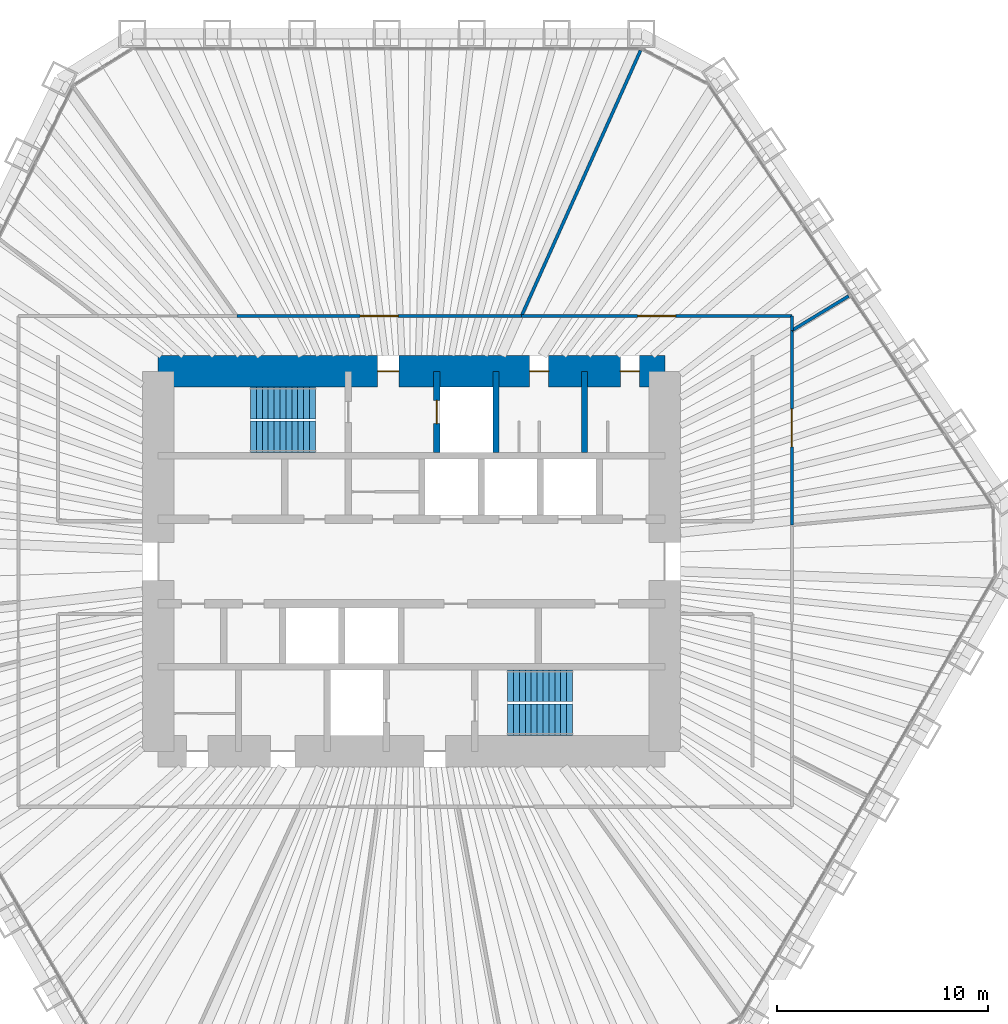
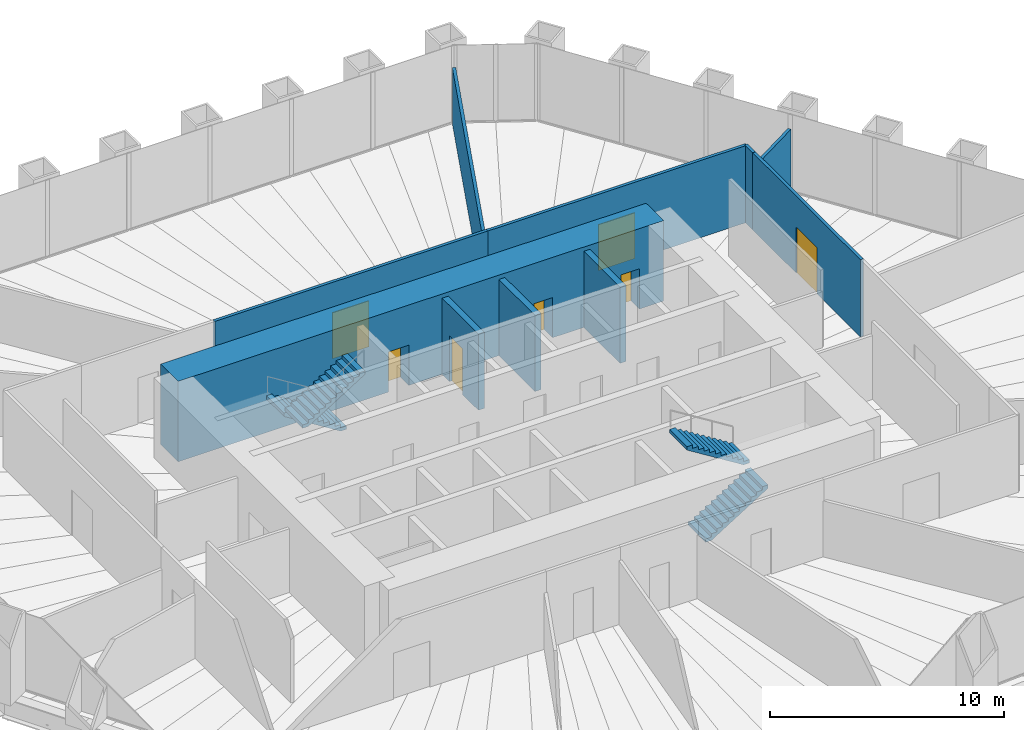
# One storey, part 12 of 13: 10 walls, 7 doors, 4 stair flights, 7 openings, 2 elements without a shape of their own.
"""IFC4 building model written with IfcOpenShell, lengths in metres."""

from ifc_helpers import new_model, si_unit, direction, frame, frame_2d, origin, place, context, subcontext, project, spatial, polyline, rectangle, outline, extrude, material, layer, layer_set, type_object, element, fill, aggregate, save


model = new_model("IFC4")

# Units and contexts
model_context = context("Model", 3, precision=1e-05, world=origin(), true_north=direction((0.0, 1.0)))
body_context = subcontext(model_context, "Body", "Model", "MODEL_VIEW")
ifc_project = project(units=[si_unit("LENGTHUNIT", "METRE"), si_unit("AREAUNIT", "SQUARE_METRE"), si_unit("VOLUMEUNIT", "CUBIC_METRE"), si_unit("PLANEANGLEUNIT", "RADIAN"), si_unit("MASSUNIT", "GRAM", prefix="KILO")], contexts=[model_context])

# Site, building, storey
site_placement = place(None, origin())
site = spatial("IfcSite", under=ifc_project, at=site_placement, CompositionType="ELEMENT")
building_placement = place(site_placement, origin())
building = spatial("IfcBuilding", under=site, at=building_placement, Name="Qingtian Harvest Tower", CompositionType="ELEMENT")
storey_placement = place(building_placement, frame((0.0, 0.0, 115.60009765625)))
storey = spatial("IfcBuildingStorey", under=building, at=storey_placement, Name="L23", CompositionType="ELEMENT", Elevation=115.60009765625)

# Wall, opening, door
ifc_material_1 = material(Name="Precast concrete shaft panel", Category="concrete")
ifc_layer_1 = layer(ifc_material_1, 0.300048828125)
ifc_layer_set_1 = layer_set([ifc_layer_1], Name="Core shaft partition SW1 300")
wall_type_1 = type_object("IfcWallType", Name="Core shaft partition SW1 300", PredefinedType="PARTITIONING", material=ifc_layer_set_1)
wall_1_placement = place(storey_placement, frame((1.199951171875, 5.14990234375, 0.0), z_axis=(0.0, 0.0, 1.0), x_axis=(0.0, 1.0, 0.0)))
wall_1 = element("IfcWall", 1, at=wall_1_placement, inside=storey, type_object=wall_type_1, Name="Core shaft partition XN2 L23", PredefinedType="PARTITIONING", context=body_context, shape_type="SweptSolid", body=[
    extrude(rectangle(XDim=3.85009765625, YDim=0.300048828125, at=frame_2d((1.925048828125, 0.0))), origin(), (0.0, 0.0, 1.0), 3.97998046875),
])
opening_1_placement = place(wall_1_placement, frame((1.375, 0.0, 0.0)))
opening_1 = element("IfcOpeningElement", 2, at=opening_1_placement, cuts=wall_1, Name="Opening LD1", PredefinedType="OPENING", context=body_context, shape_type="SweptSolid", body=[
    extrude(rectangle(XDim=1.10009765625, YDim=2.39990234375, at=frame_2d((0.550048828125, 1.199951171875))), frame((0.0, 0.159912109375, 0.0), z_axis=(0.0, -1.0, 0.0), x_axis=(1.0, 0.0, 0.0)), (0.0, 0.0, 1.0), 0.320068359375),
])
ifc_material_2 = material(Name="Stainless steel lift landing door", Category="steel")
door_type_1 = type_object("IfcDoorType", Name="Lift landing door LD1 1 HR", OperationType="DOUBLE_DOOR_SLIDING", PredefinedType="DOOR", material=ifc_material_2)
door_1_placement = place(opening_1_placement, origin())
door_1 = element("IfcDoor", 3, at=door_1_placement, inside=storey, type_object=door_type_1, Name="FL1 landing door L23", OperationType="DOUBLE_DOOR_SLIDING", OverallHeight=2.39990234375, OverallWidth=1.10009765625, PredefinedType="DOOR", context=body_context, shape_type="SweptSolid", body=[
    extrude(rectangle(XDim=1.10009765625, YDim=2.39990234375, at=frame_2d((0.550048828125, 1.199951171875))), frame((0.0, 0.02490234375, 0.0), z_axis=(0.0, -1.0, 0.0), x_axis=(1.0, 0.0, 0.0)), (0.0, 0.0, 1.0), 0.050048828125),
])
fill(opening_1, door_1)

# Walls
for number, where, z_axis, x_axis, name in (
    (4, (4.0, 5.14990234375, 0.0), (0.0, 0.0, 1.0), (0.0, 1.0, 0.0), "Core shaft partition XN3 L23"),
    (5, (8.199951171875, 5.14990234375, 0.0), (0.0, 0.0, 1.0), (0.0, 1.0, 0.0), "Core shaft partition XN4 L23"),
):
    element("IfcWall", number, at=place(storey_placement, frame(where, z_axis=z_axis, x_axis=x_axis)), inside=storey, type_object=wall_type_1, Name=name, PredefinedType="PARTITIONING", context=body_context, shape_type="SweptSolid", body=[
        extrude(rectangle(XDim=3.85009765625, YDim=0.300048828125, at=frame_2d((1.925048828125, 0.0))), origin(), (0.0, 0.0, 1.0), 3.97998046875),
    ])

# Wall, openings, doors
ifc_material_3 = material(Name="Concrete fc' 70 MPa", Category="concrete")
ifc_layer_2 = layer(ifc_material_3, 1.5)
ifc_layer_set_2 = layer_set([ifc_layer_2], Name="Core wall RC1 1500")
wall_type_2 = type_object("IfcWallType", Name="Core wall RC1 1500", PredefinedType="SHEAR", material=ifc_layer_set_2)
wall_2_placement = place(storey_placement, frame((-12.0, 9.0, 0.0), z_axis=(0.0, 0.0, 1.0), x_axis=(1.0, 0.0, 0.0)))
wall_2 = element("IfcWall", 6, at=wall_2_placement, inside=storey, type_object=wall_type_2, Name="Core wall CN L23", PredefinedType="SHEAR", context=body_context, shape_type="SweptSolid", body=[
    extrude(rectangle(XDim=24.0, YDim=1.5, at=frame_2d((12.0, 0.0))), origin(), (0.0, 0.0, 1.0), 4.199951171875),
])
opening_2_placement = place(wall_2_placement, frame((10.39990234375, 0.0, 0.0)))
opening_2 = element("IfcOpeningElement", 7, at=opening_2_placement, cuts=wall_2, Name="Opening FD1", PredefinedType="OPENING", context=body_context, shape_type="SweptSolid", body=[
    extrude(rectangle(XDim=1.0, YDim=2.10009765625, at=frame_2d((0.5, 1.050048828125))), frame((0.0, 0.760009765625, 0.0), z_axis=(0.0, -1.0, 0.0), x_axis=(1.0, 0.0, 0.0)), (0.0, 0.0, 1.0), 1.52001953125),
])
opening_3_placement = place(wall_2_placement, frame((17.60009765625, 0.0, 0.0)))
opening_3 = element("IfcOpeningElement", 8, at=opening_3_placement, cuts=wall_2, Name="Opening D1", PredefinedType="OPENING", context=body_context, shape_type="SweptSolid", body=[
    extrude(rectangle(XDim=0.89990234375, YDim=2.10009765625, at=frame_2d((0.449951171875, 1.050048828125))), frame((0.0, 0.760009765625, 0.0), z_axis=(0.0, -1.0, 0.0), x_axis=(1.0, 0.0, 0.0)), (0.0, 0.0, 1.0), 1.52001953125),
])
opening_4_placement = place(wall_2_placement, frame((21.89990234375, 0.0, 0.0)))
opening_4 = element("IfcOpeningElement", 9, at=opening_4_placement, cuts=wall_2, Name="Opening D1", PredefinedType="OPENING", context=body_context, shape_type="SweptSolid", body=[
    extrude(rectangle(XDim=0.89990234375, YDim=2.10009765625, at=frame_2d((0.449951171875, 1.050048828125))), frame((0.0, 0.760009765625, 0.0), z_axis=(0.0, -1.0, 0.0), x_axis=(1.0, 0.0, 0.0)), (0.0, 0.0, 1.0), 1.52001953125),
])
ifc_material_4 = material(Name="Steel-faced door leaf", Category="steel")
door_type_2 = type_object("IfcDoorType", Name="Fire door FD1 single 1 HR", OperationType="SINGLE_SWING_LEFT", PredefinedType="DOOR", material=ifc_material_4)
door_2_placement = place(opening_2_placement, origin())
door_2 = element("IfcDoor", 10, at=door_2_placement, inside=storey, type_object=door_type_2, Name="V1 door L23", OperationType="SINGLE_SWING_RIGHT", OverallHeight=2.10009765625, OverallWidth=1.0, PredefinedType="DOOR", context=body_context, shape_type="SweptSolid", body=[
    extrude(rectangle(XDim=1.0, YDim=2.10009765625, at=frame_2d((0.5, 1.050048828125))), frame((0.0, 0.02490234375, 0.0), z_axis=(0.0, -1.0, 0.0), x_axis=(1.0, 0.0, 0.0)), (0.0, 0.0, 1.0), 0.050048828125),
])
fill(opening_2, door_2)
ifc_material_5 = material(Name="Laminated timber door leaf", Category="wood")
door_type_3 = type_object("IfcDoorType", Name="Toilet door D1 single", OperationType="SINGLE_SWING_LEFT", PredefinedType="DOOR", material=ifc_material_5)
door_3_placement = place(opening_3_placement, origin())
door_3 = element("IfcDoor", 11, at=door_3_placement, inside=storey, type_object=door_type_3, Name="WCM door L23", OperationType="SINGLE_SWING_LEFT", OverallHeight=2.10009765625, OverallWidth=0.89990234375, PredefinedType="DOOR", context=body_context, shape_type="SweptSolid", body=[
    extrude(rectangle(XDim=0.89990234375, YDim=2.10009765625, at=frame_2d((0.449951171875, 1.050048828125))), frame((0.0, 0.02490234375, 0.0), z_axis=(0.0, -1.0, 0.0), x_axis=(1.0, 0.0, 0.0)), (0.0, 0.0, 1.0), 0.050048828125),
])
fill(opening_3, door_3)
door_4_placement = place(opening_4_placement, origin())
door_4 = element("IfcDoor", 12, at=door_4_placement, inside=storey, type_object=door_type_3, Name="WCF door L23", OperationType="SINGLE_SWING_LEFT", OverallHeight=2.10009765625, OverallWidth=0.89990234375, PredefinedType="DOOR", context=body_context, shape_type="SweptSolid", body=[
    extrude(rectangle(XDim=0.89990234375, YDim=2.10009765625, at=frame_2d((0.449951171875, 1.050048828125))), frame((0.0, 0.02490234375, 0.0), z_axis=(0.0, -1.0, 0.0), x_axis=(1.0, 0.0, 0.0)), (0.0, 0.0, 1.0), 0.050048828125),
])
fill(opening_4, door_4)

# Wall, opening, door
ifc_material_6 = material(Name="Gypsum board on steel studs", Category="steel")
ifc_layer_3 = layer(ifc_material_6, 0.14990234375)
ifc_layer_set_3 = layer_set([ifc_layer_3], Name="Partition PT1 150")
wall_type_3 = type_object("IfcWallType", Name="Partition PT1 150", PredefinedType="PARTITIONING", material=ifc_layer_set_3)
wall_3_placement = place(storey_placement, frame((-8.276611328125, 11.625, 0.0), z_axis=(0.0, 0.0, 1.0), x_axis=(1.0, 0.0, 0.0)))
wall_3 = element("IfcWall", 13, at=wall_3_placement, inside=storey, type_object=wall_type_3, Name="Office suite wall L23", PredefinedType="PARTITIONING", context=body_context, shape_type="SweptSolid", body=[
    extrude(rectangle(XDim=13.487548828125, YDim=0.14990234375, at=frame_2d((6.74365234375, 0.0))), origin(), (0.0, 0.0, 1.0), 4.02978515625),
])
opening_5_placement = place(wall_3_placement, frame((5.84375, 0.0, 0.0)))
opening_5 = element("IfcOpeningElement", 14, at=opening_5_placement, cuts=wall_3, Name="Opening D3", PredefinedType="OPENING", context=body_context, shape_type="SweptSolid", body=[
    extrude(rectangle(XDim=1.800048828125, YDim=2.39990234375, at=frame_2d((0.89990234375, 1.199951171875))), frame((0.0, 0.0849609375, 0.0), z_axis=(0.0, -1.0, 0.0), x_axis=(1.0, 0.0, 0.0)), (0.0, 0.0, 1.0), 0.169921875),
])
ifc_material_7 = material(Name="Laminated timber door leaf", Category="wood")
door_type_4 = type_object("IfcDoorType", Name="Room door D3 double", OperationType="DOUBLE_DOOR_DOUBLE_SWING", PredefinedType="DOOR", material=ifc_material_7)
door_5_placement = place(opening_5_placement, origin())
door_5 = element("IfcDoor", 15, at=door_5_placement, inside=storey, type_object=door_type_4, Name="Office suite door L23", OperationType="DOUBLE_DOOR_DOUBLE_SWING", OverallHeight=2.39990234375, OverallWidth=1.800048828125, PredefinedType="DOOR", context=body_context, shape_type="SweptSolid", body=[
    extrude(rectangle(XDim=1.800048828125, YDim=2.39990234375, at=frame_2d((0.89990234375, 1.199951171875))), frame((0.0, 0.02490234375, 0.0), z_axis=(0.0, -1.0, 0.0), x_axis=(1.0, 0.0, 0.0)), (0.0, 0.0, 1.0), 0.050048828125),
])
fill(opening_5, door_5)

# Wall
wall_4_placement = place(storey_placement, frame((10.851806640625, 24.208740234375, 0.0), z_axis=(0.0, 0.0, 1.0), x_axis=(-0.40904878746, -0.912512514696, 0.0)))
element("IfcWall", 16, at=wall_4_placement, inside=storey, type_object=wall_type_3, Name="Test kitchen wall L23", PredefinedType="PARTITIONING", context=body_context, shape_type="SweptSolid", body=[
    extrude(rectangle(XDim=13.790283203125, YDim=0.14990234375, at=frame_2d((6.89501953125, 0.0))), origin(), (0.0, 0.0, 1.0), 2.929931640625),
])

# Wall, opening, door
wall_5_placement = place(storey_placement, frame((5.2109375, 11.625, 0.0), z_axis=(0.0, 0.0, 1.0), x_axis=(1.0, 0.0, 0.0)))
wall_5 = element("IfcWall", 17, at=wall_5_placement, inside=storey, type_object=wall_type_3, Name="Test kitchen wall L23", PredefinedType="PARTITIONING", context=body_context, shape_type="SweptSolid", body=[
    extrude(rectangle(XDim=12.81396484375, YDim=0.14990234375, at=frame_2d((6.406982421875, 0.0))), origin(), (0.0, 0.0, 1.0), 4.02978515625),
])
opening_6_placement = place(wall_5_placement, frame((5.507080078125, 0.0, 0.0)))
opening_6 = element("IfcOpeningElement", 18, at=opening_6_placement, cuts=wall_5, Name="Opening D3", PredefinedType="OPENING", context=body_context, shape_type="SweptSolid", body=[
    extrude(rectangle(XDim=1.800048828125, YDim=2.39990234375, at=frame_2d((0.89990234375, 1.199951171875))), frame((0.0, 0.0849609375, 0.0), z_axis=(0.0, -1.0, 0.0), x_axis=(1.0, 0.0, 0.0)), (0.0, 0.0, 1.0), 0.169921875),
])
door_6_placement = place(opening_6_placement, origin())
door_6 = element("IfcDoor", 19, at=door_6_placement, inside=storey, type_object=door_type_4, Name="Test kitchen door L23", OperationType="DOUBLE_DOOR_DOUBLE_SWING", OverallHeight=2.39990234375, OverallWidth=1.800048828125, PredefinedType="DOOR", context=body_context, shape_type="SweptSolid", body=[
    extrude(rectangle(XDim=1.800048828125, YDim=2.39990234375, at=frame_2d((0.89990234375, 1.199951171875))), frame((0.0, 0.02490234375, 0.0), z_axis=(0.0, -1.0, 0.0), x_axis=(1.0, 0.0, 0.0)), (0.0, 0.0, 1.0), 0.050048828125),
])
fill(opening_6, door_6)

# Walls
wall_6_placement = place(storey_placement, frame((18.02490234375, 11.625, 0.0), z_axis=(0.0, 0.0, 1.0), x_axis=(0.0, -1.0, 0.0)))
element("IfcWall", 20, at=wall_6_placement, inside=storey, type_object=wall_type_3, Name="Test kitchen wall L23", PredefinedType="PARTITIONING", context=body_context, shape_type="SweptSolid", body=[
    extrude(rectangle(XDim=0.684326171875, YDim=0.14990234375, at=frame_2d((0.34228515625, 0.0))), origin(), (0.0, 0.0, 1.0), 4.02978515625),
])
wall_7_placement = place(storey_placement, frame((20.71142578125, 12.571044921875, 0.0), z_axis=(0.0, 0.0, 1.0), x_axis=(-0.854890890653, -0.518807830587, 0.0)))
element("IfcWall", 21, at=wall_7_placement, inside=storey, type_object=wall_type_3, Name="Meeting room wall L23", PredefinedType="PARTITIONING", context=body_context, shape_type="SweptSolid", body=[
    extrude(rectangle(XDim=3.142578125, YDim=0.14990234375, at=frame_2d((1.5712890625, 0.0))), origin(), (0.0, 0.0, 1.0), 3.329833984375),
])

# Wall, opening, door
wall_8_placement = place(storey_placement, frame((18.02490234375, 10.940673828125, 0.0), z_axis=(0.0, 0.0, 1.0), x_axis=(0.0, -1.0, 0.0)))
wall_8 = element("IfcWall", 22, at=wall_8_placement, inside=storey, type_object=wall_type_3, Name="Meeting room wall L23", PredefinedType="PARTITIONING", context=body_context, shape_type="SweptSolid", body=[
    extrude(rectangle(XDim=9.22119140625, YDim=0.14990234375, at=frame_2d((4.610595703125, 0.0))), origin(), (0.0, 0.0, 1.0), 4.02978515625),
])
opening_7_placement = place(wall_8_placement, frame((3.71044921875, 0.0, 0.0)))
opening_7 = element("IfcOpeningElement", 23, at=opening_7_placement, cuts=wall_8, Name="Opening D3", PredefinedType="OPENING", context=body_context, shape_type="SweptSolid", body=[
    extrude(rectangle(XDim=1.800048828125, YDim=2.39990234375, at=frame_2d((0.89990234375, 1.199951171875))), frame((0.0, 0.0849609375, 0.0), z_axis=(0.0, -1.0, 0.0), x_axis=(1.0, 0.0, 0.0)), (0.0, 0.0, 1.0), 0.169921875),
])
door_7_placement = place(opening_7_placement, origin())
door_7 = element("IfcDoor", 24, at=door_7_placement, inside=storey, type_object=door_type_4, Name="Meeting room door L23", OperationType="DOUBLE_DOOR_DOUBLE_SWING", OverallHeight=2.39990234375, OverallWidth=1.800048828125, PredefinedType="DOOR", context=body_context, shape_type="SweptSolid", body=[
    extrude(rectangle(XDim=1.800048828125, YDim=2.39990234375, at=frame_2d((0.89990234375, 1.199951171875))), frame((0.0, 0.02490234375, 0.0), z_axis=(0.0, -1.0, 0.0), x_axis=(1.0, 0.0, 0.0)), (0.0, 0.0, 1.0), 0.050048828125),
])
fill(opening_7, door_7)

# Stair, stair flights
ifc_material_8 = material(Name="Concrete fc' 35 MPa", Category="concrete")
stair_type = type_object("IfcStairType", Name="Special stair ST3 4200", PredefinedType="HALF_TURN_STAIR", material=ifc_material_8)
stair_1_placement = place(storey_placement, origin())
stair_1 = element("IfcStair", 25, at=stair_1_placement, inside=storey, type_object=stair_type, Name="Special stair S1 L23", PredefinedType="HALF_TURN_STAIR")
ifc_material_9 = material(Name="Concrete fc' 35 MPa", Category="concrete")
stair_flight_type = type_object("IfcStairFlightType", Name="Stair flight SF3 4200", PredefinedType="STRAIGHT", material=ifc_material_9)
stair_flight_1_placement = place(storey_placement, frame((-4.550048828125, 7.5, 0.0), z_axis=(0.0, 0.0, 1.0), x_axis=(-1.0, 0.0, 0.0)))
stair_flight_1 = element("IfcStairFlight", 26, at=stair_flight_1_placement, type_object=stair_flight_type, Name="S1 flight 1", NumberOfRisers=12, NumberOfTreads=11, PredefinedType="STRAIGHT", RiserHeight=0.175, TreadLength=0.28, context=body_context, shape_type="SweptSolid", body=[
    extrude(outline(polyline([(0.0, 0.0), (0.0, 0.175048828125), (0.280029296875, 0.175048828125), (0.280029296875, 0.35009765625), (0.56005859375, 0.35009765625), (0.56005859375, 0.52490234375), (0.840087890625, 0.52490234375), (0.840087890625, 0.699951171875), (1.1201171875, 0.699951171875), (1.1201171875, 0.875), (1.39990234375, 0.875), (1.39990234375, 1.050048828125), (1.679931640625, 1.050048828125), (1.679931640625, 1.22509765625), (1.9599609375, 1.22509765625), (1.9599609375, 1.39990234375), (2.239990234375, 1.39990234375), (2.239990234375, 1.574951171875), (2.52001953125, 1.574951171875), (2.52001953125, 1.75), (2.800048828125, 1.75), (2.800048828125, 1.925048828125), (3.080078125, 1.925048828125), (3.080078125, 2.10009765625), (3.080078125, 1.748291015625), (0.28271484375, 0.0), (0.0, 0.0)])), frame((0.0, 0.75, 0.0), z_axis=(0.0, -1.0, 0.0), x_axis=(1.0, 0.0, 0.0)), (0.0, 0.0, 1.0), 1.5),
])
stair_flight_2_placement = place(storey_placement, frame((-7.6298828125, 5.89990234375, 2.099853515625), z_axis=(0.0, 0.0, 1.0), x_axis=(1.0, 0.0, 0.0)))
stair_flight_2 = element("IfcStairFlight", 27, at=stair_flight_2_placement, type_object=stair_flight_type, Name="S1 flight 2", NumberOfRisers=12, NumberOfTreads=11, PredefinedType="STRAIGHT", RiserHeight=0.175, TreadLength=0.28, context=body_context, shape_type="SweptSolid", body=[
    extrude(outline(polyline([(0.0, 0.0), (0.0, 0.175048828125), (0.280029296875, 0.175048828125), (0.280029296875, 0.35009765625), (0.56005859375, 0.35009765625), (0.56005859375, 0.52490234375), (0.840087890625, 0.52490234375), (0.840087890625, 0.699951171875), (1.1201171875, 0.699951171875), (1.1201171875, 0.875), (1.39990234375, 0.875), (1.39990234375, 1.050048828125), (1.679931640625, 1.050048828125), (1.679931640625, 1.22509765625), (1.9599609375, 1.22509765625), (1.9599609375, 1.39990234375), (2.239990234375, 1.39990234375), (2.239990234375, 1.574951171875), (2.52001953125, 1.574951171875), (2.52001953125, 1.75), (2.800048828125, 1.75), (2.800048828125, 1.925048828125), (3.080078125, 1.925048828125), (3.080078125, 2.10009765625), (3.080078125, 1.748291015625), (0.28271484375, 0.0), (0.0, 0.0)])), frame((0.0, 0.75, 0.0), z_axis=(0.0, -1.0, 0.0), x_axis=(1.0, 0.0, 0.0)), (0.0, 0.0, 1.0), 1.5),
])
aggregate(stair_1, [stair_flight_1, stair_flight_2])

stair_2_placement = place(storey_placement, origin())
stair_2 = element("IfcStair", 28, at=stair_2_placement, inside=storey, type_object=stair_type, Name="Special stair S2 L23", PredefinedType="HALF_TURN_STAIR")
stair_flight_3_placement = place(storey_placement, frame((4.550048828125, -7.5, 0.0), z_axis=(0.0, 0.0, 1.0), x_axis=(1.0, 0.0, 0.0)))
stair_flight_3 = element("IfcStairFlight", 29, at=stair_flight_3_placement, type_object=stair_flight_type, Name="S2 flight 1", NumberOfRisers=12, NumberOfTreads=11, PredefinedType="STRAIGHT", RiserHeight=0.175, TreadLength=0.28, context=body_context, shape_type="SweptSolid", body=[
    extrude(outline(polyline([(0.0, 0.0), (0.0, 0.175048828125), (0.280029296875, 0.175048828125), (0.280029296875, 0.35009765625), (0.56005859375, 0.35009765625), (0.56005859375, 0.52490234375), (0.840087890625, 0.52490234375), (0.840087890625, 0.699951171875), (1.1201171875, 0.699951171875), (1.1201171875, 0.875), (1.39990234375, 0.875), (1.39990234375, 1.050048828125), (1.679931640625, 1.050048828125), (1.679931640625, 1.22509765625), (1.9599609375, 1.22509765625), (1.9599609375, 1.39990234375), (2.239990234375, 1.39990234375), (2.239990234375, 1.574951171875), (2.52001953125, 1.574951171875), (2.52001953125, 1.75), (2.800048828125, 1.75), (2.800048828125, 1.925048828125), (3.080078125, 1.925048828125), (3.080078125, 2.10009765625), (3.080078125, 1.748291015625), (0.28271484375, 0.0), (0.0, 0.0)])), frame((0.0, 0.75, 0.0), z_axis=(0.0, -1.0, 0.0), x_axis=(1.0, 0.0, 0.0)), (0.0, 0.0, 1.0), 1.5),
])
stair_flight_4_placement = place(storey_placement, frame((7.6298828125, -5.89990234375, 2.099853515625), z_axis=(0.0, 0.0, 1.0), x_axis=(-1.0, 0.0, 0.0)))
stair_flight_4 = element("IfcStairFlight", 30, at=stair_flight_4_placement, type_object=stair_flight_type, Name="S2 flight 2", NumberOfRisers=12, NumberOfTreads=11, PredefinedType="STRAIGHT", RiserHeight=0.175, TreadLength=0.28, context=body_context, shape_type="SweptSolid", body=[
    extrude(outline(polyline([(0.0, 0.0), (0.0, 0.175048828125), (0.280029296875, 0.175048828125), (0.280029296875, 0.35009765625), (0.56005859375, 0.35009765625), (0.56005859375, 0.52490234375), (0.840087890625, 0.52490234375), (0.840087890625, 0.699951171875), (1.1201171875, 0.699951171875), (1.1201171875, 0.875), (1.39990234375, 0.875), (1.39990234375, 1.050048828125), (1.679931640625, 1.050048828125), (1.679931640625, 1.22509765625), (1.9599609375, 1.22509765625), (1.9599609375, 1.39990234375), (2.239990234375, 1.39990234375), (2.239990234375, 1.574951171875), (2.52001953125, 1.574951171875), (2.52001953125, 1.75), (2.800048828125, 1.75), (2.800048828125, 1.925048828125), (3.080078125, 1.925048828125), (3.080078125, 2.10009765625), (3.080078125, 1.748291015625), (0.28271484375, 0.0), (0.0, 0.0)])), frame((0.0, 0.75, 0.0), z_axis=(0.0, -1.0, 0.0), x_axis=(1.0, 0.0, 0.0)), (0.0, 0.0, 1.0), 1.5),
])
aggregate(stair_2, [stair_flight_3, stair_flight_4])

save(model, "model.ifc")
